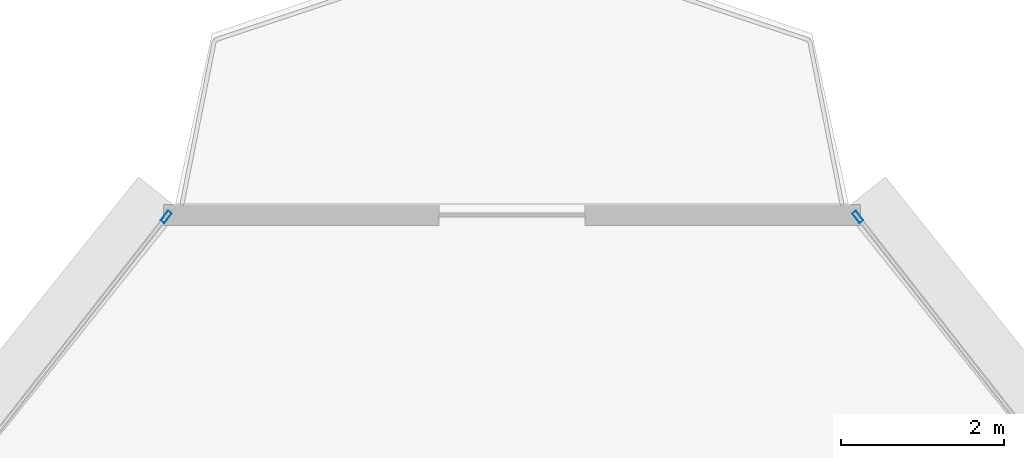
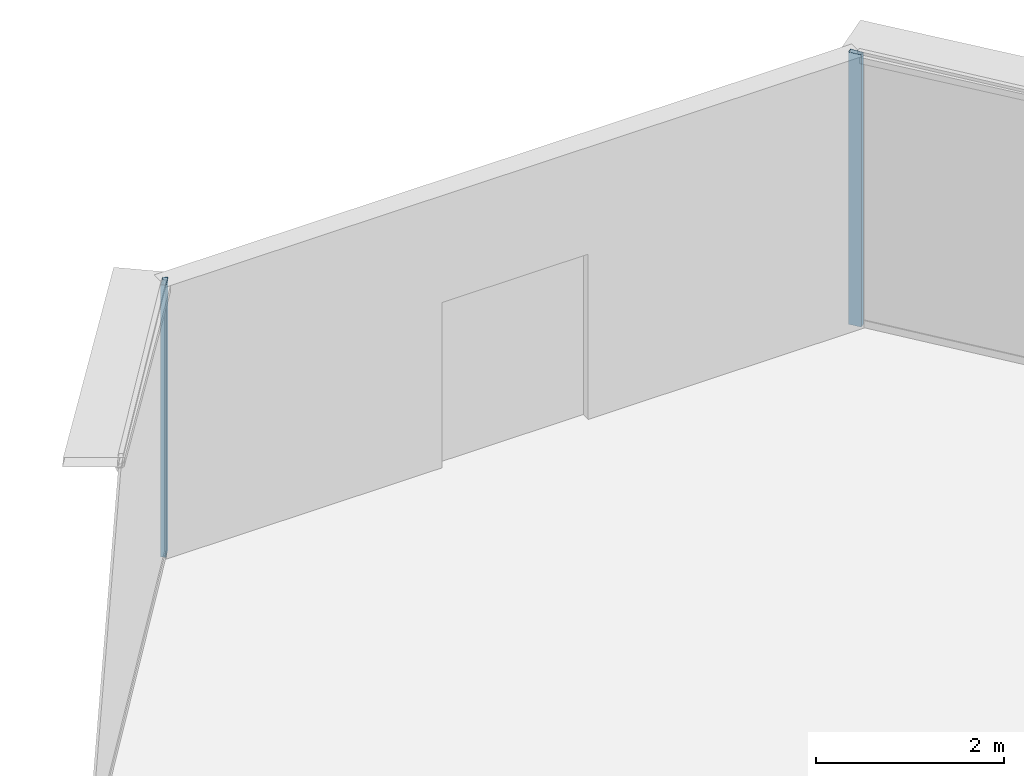
# One storey, part 27 of 40: 2 members, 2 elements without a shape of their own.
"""IFC4 building model written with IfcOpenShell, lengths in metres."""

from ifc_helpers import new_model, si_unit, direction, frame, origin, origin_2d, place, context, subcontext, project, spatial, hollow_rectangle, extrude, source, transform, mapped, material, layer, layer_set, material_profile, profile_set, type_object, element, aggregate, save


model = new_model("IFC4")

# Units and contexts
model_context = context("Model", 3, precision=1e-05, world=origin(), true_north=direction((0.0, 1.0)))
body_context = subcontext(model_context, "Body", "Model", "MODEL_VIEW")
ifc_project = project(units=[si_unit("LENGTHUNIT", "METRE"), si_unit("AREAUNIT", "SQUARE_METRE"), si_unit("VOLUMEUNIT", "CUBIC_METRE"), si_unit("PLANEANGLEUNIT", "RADIAN"), si_unit("MASSUNIT", "GRAM", prefix="KILO"), si_unit("THERMODYNAMICTEMPERATUREUNIT", "KELVIN"), si_unit("POWERUNIT", "WATT")], contexts=[model_context])

# Site, building, storey
site_placement = place(None, origin())
site = spatial("IfcSite", under=ifc_project, at=site_placement, CompositionType="ELEMENT")
building_placement = place(site_placement, origin())
building = spatial("IfcBuilding", under=site, at=building_placement, Name="Yunzhuo Pagoda Commons", CompositionType="ELEMENT")
storey_placement = place(building_placement, frame((0.0, 0.0, 184.760009765625)))
storey = spatial("IfcBuildingStorey", under=building, at=storey_placement, Name="L46", CompositionType="ELEMENT", Elevation=184.760009765625)

# Curtain wall, member
ifc_material = material(Name="Anodized aluminium 6063-T6", Category="aluminium")
ifc_layer = layer(ifc_material, 0.14990234375)
ifc_layer_set = layer_set([ifc_layer], Name="Anodized aluminium 6063-T6")
curtain_wall_type = type_object("IfcCurtainWallType", Name="CW-MID Mid-Zone Ribbon Curtain Wall", PredefinedType="NOTDEFINED", material=ifc_layer_set)
curtain_wall_1_placement = place(storey_placement, origin())
curtain_wall_1 = element("IfcCurtainWall", 1, at=curtain_wall_1_placement, inside=storey, type_object=curtain_wall_type, Name="L46 curtain wall CW-L46-F2B5", PredefinedType="NOTDEFINED")
ifc_material_profile = material_profile(ifc_material, hollow_rectangle(XDim=0.06005859375, YDim=0.14990234375, WallThickness=0.00390625, at=origin_2d()), Name="Anodized aluminium 6063-T6")
ifc_profile_set = profile_set([ifc_material_profile], Name="Anodized aluminium 6063-T6")
member_type = type_object("IfcMemberType", Name="CW-MID-M Mullion RHS 150x60x4", PredefinedType="MULLION", material=ifc_profile_set)
shared_shape = source(origin(), body_context, "Body", "SweptSolid", [
    extrude(hollow_rectangle(XDim=0.06005859375, YDim=0.14990234375, WallThickness=0.00390625, at=origin_2d()), origin(), (0.0, 0.0, 1.0), 3.5400390625),
])
member_1_placement = place(storey_placement, frame((52.25390625, 83.55908203125, 0.0), z_axis=(0.0, 0.0, 1.0), x_axis=(-0.786950244655, -0.617016460427, 0.0)))
member_1 = element("IfcMember", 2, at=member_1_placement, type_object=member_type, Name="CW mullion 2", PredefinedType="MULLION", context=body_context, shape_type="MappedRepresentation", body=[
    mapped(shared_shape, transform((0.0, 0.0, 0.0), scale=1.0)),
])
aggregate(curtain_wall_1, [member_1])

curtain_wall_2_placement = place(storey_placement, origin())
curtain_wall_2 = element("IfcCurtainWall", 3, at=curtain_wall_2_placement, inside=storey, type_object=curtain_wall_type, Name="L46 curtain wall CW-L46-F3B1", PredefinedType="NOTDEFINED")
member_2_placement = place(storey_placement, frame((43.74609375, 83.55908203125, 0.0), z_axis=(0.0, 0.0, 1.0), x_axis=(0.786950244655, -0.617016460427, 0.0)))
member_2 = element("IfcMember", 4, at=member_2_placement, type_object=member_type, Name="CW mullion 1", PredefinedType="MULLION", context=body_context, shape_type="MappedRepresentation", body=[
    mapped(shared_shape, transform((0.0, 0.0, 0.0), scale=1.0)),
])
aggregate(curtain_wall_2, [member_2])

save(model, "model.ifc")
